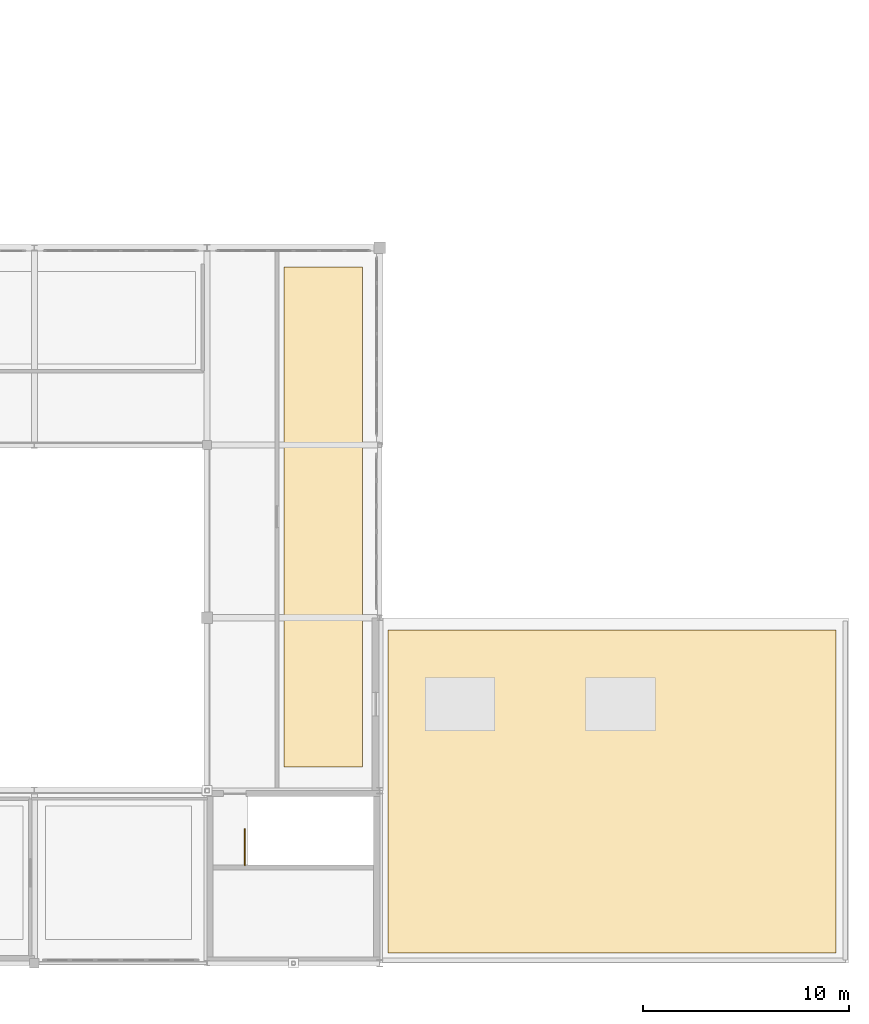
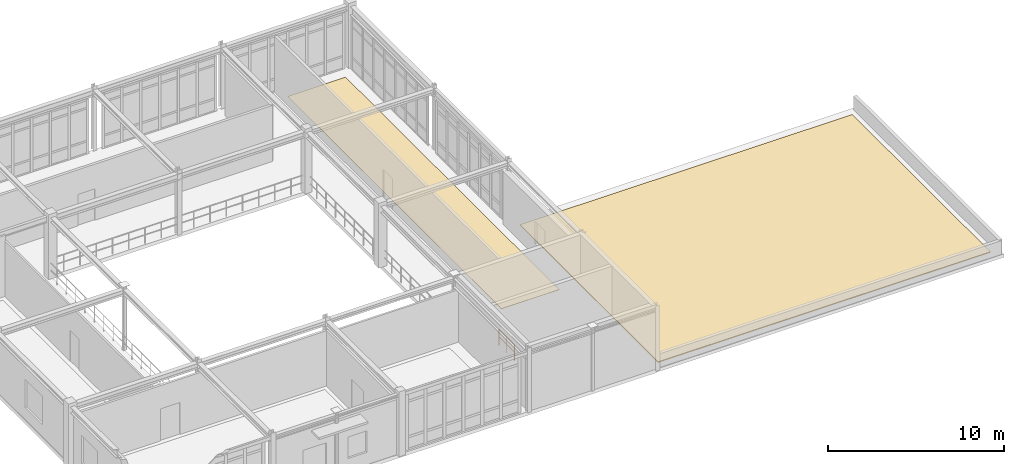
# One storey, part 106 of 106: 2 coverings, 1 railing.
"""IFC4 building model written with IfcOpenShell, lengths in metres."""

from ifc_helpers import new_model, si_unit, derived_unit, direction, frame, origin, origin_2d, place, context, subcontext, project, spatial, polyline, circle, outline, extrude, material, layer, layer_set, type_object, element, save


model = new_model("IFC4")

# Units and contexts
model_context = context("Model", 3, precision=1e-05, world=origin(), true_north=direction((0.0, 1.0)))
body_context = subcontext(model_context, "Body", "Model", "MODEL_VIEW")
ifc_project = project(units=[si_unit("LENGTHUNIT", "METRE"), si_unit("AREAUNIT", "SQUARE_METRE"), si_unit("VOLUMEUNIT", "CUBIC_METRE"), si_unit("PLANEANGLEUNIT", "RADIAN"), si_unit("MASSUNIT", "GRAM", prefix="KILO"), derived_unit("THERMALTRANSMITTANCEUNIT", [(si_unit("POWERUNIT", "WATT"), 1), (si_unit("AREAUNIT", "SQUARE_METRE"), -1), (si_unit("THERMODYNAMICTEMPERATUREUNIT", "KELVIN"), -1)])], contexts=[model_context])

# Site, building, storey
site_placement = place(None, origin())
site = spatial("IfcSite", under=ifc_project, at=site_placement, CompositionType="ELEMENT")
building_placement = place(site_placement, origin())
building = spatial("IfcBuilding", under=site, at=building_placement, Name="Yasenodar Specialist Clinic", CompositionType="ELEMENT")
storey_placement = place(building_placement, frame((0.0, 0.0, 4.5)))
storey = spatial("IfcBuildingStorey", under=building, at=storey_placement, Name="L01", CompositionType="ELEMENT", Elevation=4.5)

# Coverings
ifc_material_1 = material(Name="Seamless Epoxy Terrazzo Clinical Flooring")
ifc_layer_1 = layer(ifc_material_1, 0.02001953125)
ifc_layer_set_1 = layer_set([ifc_layer_1], Name="Seamless Epoxy Terrazzo Clinical Flooring")
covering_type_1 = type_object("IfcCoveringType", Name="COV-FLR-TERR", PredefinedType="FLOORING", material=ifc_layer_set_1)
covering_1_placement = place(storey_placement, origin())
element("IfcCovering", 1, at=covering_1_placement, inside=storey, type_object=covering_type_1, Name="L01 Prosthetics and Orthotics Fitting Clinic Terrazzo Flooring", PredefinedType="FLOORING", context=body_context, shape_type="SweptSolid", body=[
    extrude(outline(polyline([(137.75, 33.85009765625), (137.75, 9.550048828125), (133.949951171875, 9.550048828125), (133.949951171875, 33.85009765625), (137.75, 33.85009765625)])), origin(), (0.0, 0.0, 1.0), 0.02001953125),
])
ifc_material_2 = material(Name="Standing-Seam Pre-Weathered Zinc Roofing")
ifc_layer_2 = layer(ifc_material_2, 0.06005859375)
ifc_layer_set_2 = layer_set([ifc_layer_2], Name="Standing-Seam Pre-Weathered Zinc Roofing")
covering_type_2 = type_object("IfcCoveringType", Name="COV-ROOF-ZINC", PredefinedType="ROOFING", material=ifc_layer_set_2)
covering_2_placement = place(storey_placement, origin())
element("IfcCovering", 2, at=covering_2_placement, inside=storey, type_object=covering_type_2, Name="V3 East Zinc Roof Covering", PredefinedType="ROOFING", context=body_context, shape_type="SweptSolid", body=[
    extrude(outline(polyline([(139.0, 0.5), (160.800048828125, 0.5), (160.800048828125, 16.199951171875), (139.0, 16.199951171875), (139.0, 0.5)])), origin(), (0.0, 0.0, 1.0), 0.06005859375),
])

# Railing
ifc_material_3 = material(Name="Steel S355 Painted Stair Guardrail", Category="steel")
railing_type = type_object("IfcRailingType", Name="RL-ST-GRD", PredefinedType="GUARDRAIL", material=ifc_material_3)
railing_placement = place(storey_placement, frame((132.0400390625, 4.760009765625, 0.0)))
element("IfcRailing", 3, at=railing_placement, inside=storey, type_object=railing_type, Name="L01 ST-06 top well guard 1", PredefinedType="GUARDRAIL", context=body_context, shape_type="SweptSolid", body=[
    extrude(circle(Radius=0.02392578125, at=origin_2d()), frame((0.0, 0.0, 1.09619140625), z_axis=(0.0, 1.0, 0.0), x_axis=(-1.0, 0.0, 0.0)), (0.0, 0.0, 1.0), 1.77001953125),
    extrude(circle(Radius=0.02392578125, at=origin_2d()), frame((0.0, 0.0, 0.58251953125), z_axis=(0.0, 1.0, 0.0), x_axis=(-1.0, 0.0, 0.0)), (0.0, 0.0, 1.0), 1.77001953125),
    extrude(circle(Radius=0.02099609375, at=origin_2d()), origin(), (0.0, 0.0, 1.0), 1.072021484375),
    extrude(circle(Radius=0.02099609375, at=origin_2d()), frame((0.0, 0.885009765625, 0.0)), (0.0, 0.0, 1.0), 1.072021484375),
    extrude(circle(Radius=0.02099609375, at=origin_2d()), frame((0.0, 1.77001953125, 0.0)), (0.0, 0.0, 1.0), 1.072021484375),
])

save(model, "model.ifc")
